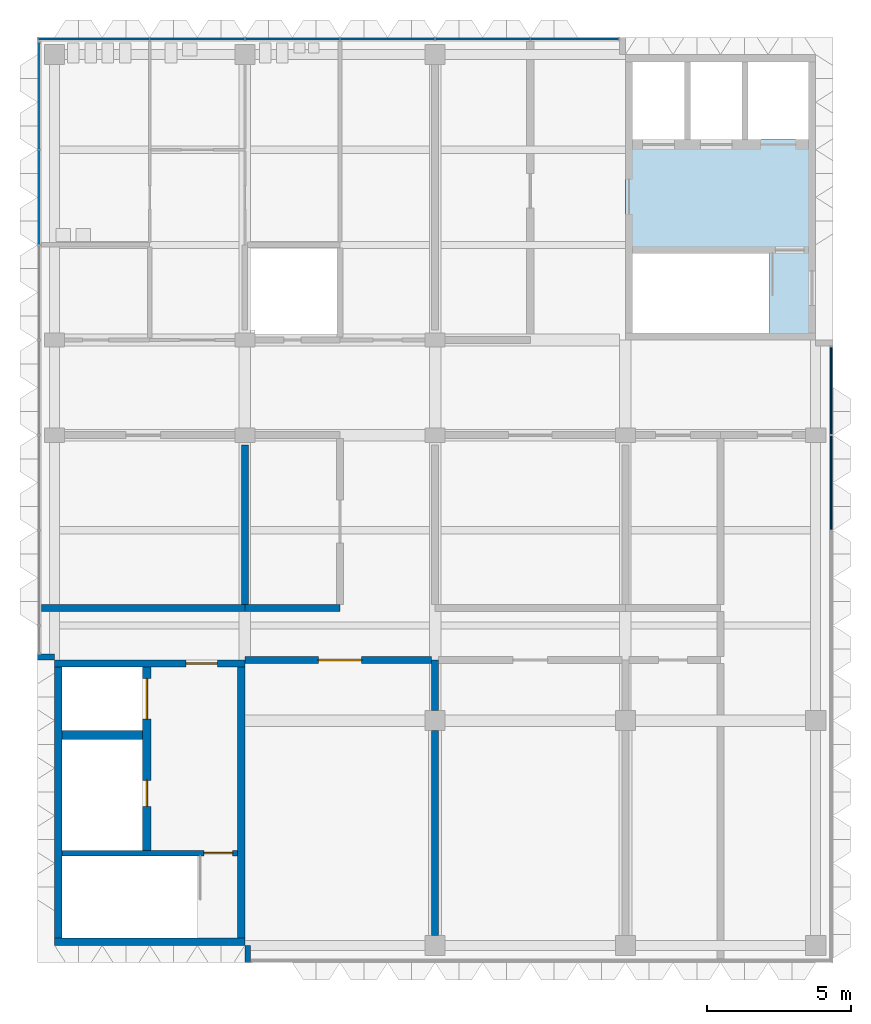
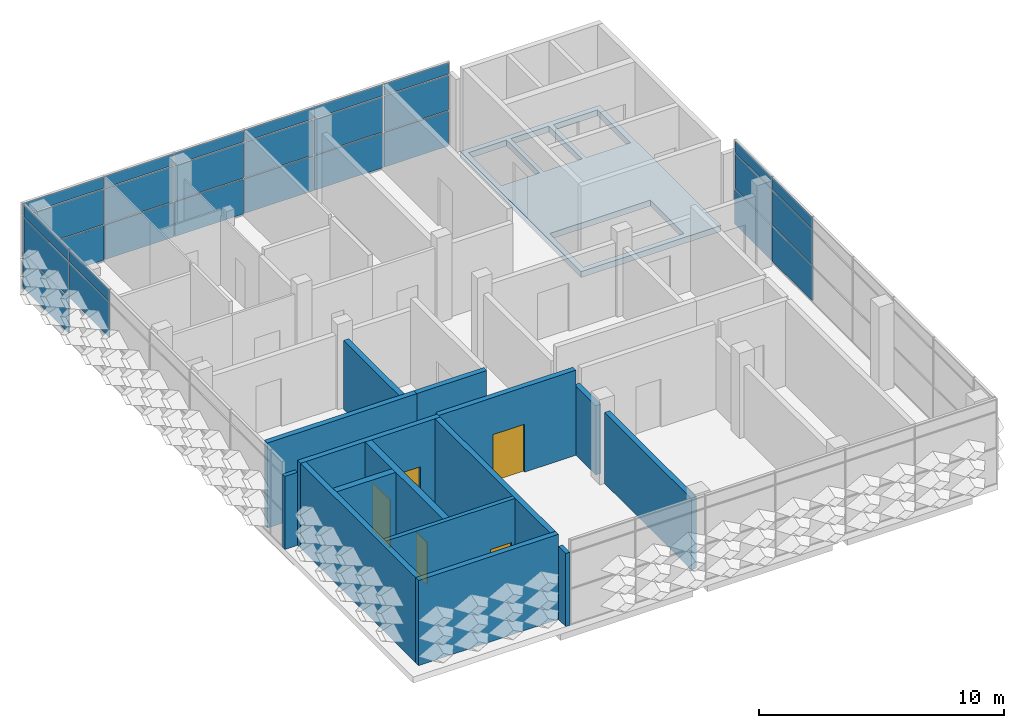
# One storey, part 8 of 21: 29 plates, 15 walls, 5 doors, 1 slab, 5 openings, 3 elements without a shape of their own.
"""IFC4 building model written with IfcOpenShell, lengths in metres."""

from ifc_helpers import new_model, si_unit, direction, frame, frame_2d, origin, origin_2d, place, context, subcontext, project, spatial, polyline, rectangle, outline, extrude, material, layer, layer_set, type_object, element, fill, aggregate, save


model = new_model("IFC4")

# Units and contexts
model_context = context("Model", 3, precision=1e-05, world=origin(), true_north=direction((0.0, 1.0)))
body_context = subcontext(model_context, "Body", "Model", "MODEL_VIEW")
ifc_project = project(units=[si_unit("LENGTHUNIT", "METRE"), si_unit("AREAUNIT", "SQUARE_METRE"), si_unit("VOLUMEUNIT", "CUBIC_METRE"), si_unit("PLANEANGLEUNIT", "RADIAN"), si_unit("MASSUNIT", "GRAM", prefix="KILO")], contexts=[model_context])

# Site, building, storey
site_placement = place(None, origin())
site = spatial("IfcSite", under=ifc_project, at=site_placement, CompositionType="ELEMENT")
building_placement = place(site_placement, origin())
building = spatial("IfcBuilding", under=site, at=building_placement, Name="Lantern Court Research Institute", CompositionType="ELEMENT")
storey_placement = place(building_placement, frame((0.0, 0.0, 41.39990234375)))
storey = spatial("IfcBuildingStorey", under=building, at=storey_placement, Name="L09", CompositionType="ELEMENT", Elevation=41.39990234375)

# Curtain wall, plates
ifc_material_1 = material(Name="Aluminium alloy 6063-T6", Category="aluminium")
curtain_wall_type_1 = type_object("IfcCurtainWallType", Name="Curtain wall 20200 x 4250 x 120 aluminium frame", PredefinedType="NOTDEFINED", material=ifc_material_1)
curtain_wall_1_placement = place(storey_placement, origin())
curtain_wall_1 = element("IfcCurtainWall", 1, at=curtain_wall_1_placement, inside=storey, type_object=curtain_wall_type_1, Name="Curtain wall CW090", PredefinedType="NOTDEFINED")
ifc_material_2 = material(Name="Insulated aluminium spandrel panel", Category="aluminium")
ifc_layer_1 = layer(ifc_material_2, 0.06005859375)
ifc_layer_set_1 = layer_set([ifc_layer_1], Name="Insulated aluminium spandrel panel")
plate_type_1 = type_object("IfcPlateType", Name="Insulated spandrel panel 60 mm", PredefinedType="CURTAIN_PANEL", material=ifc_layer_set_1)
plate_1_placement = place(storey_placement, frame((54.16259765625, 23.639892578125, 0.050048828125), z_axis=(0.0, 0.0, 1.0), x_axis=(1.0, 0.0, 0.0)))
plate_1 = element("IfcPlate", 2, at=plate_1_placement, type_object=plate_type_1, Name="CW090 spandrel panel 1.1", PredefinedType="CURTAIN_PANEL", context=body_context, shape_type="SweptSolid", body=[
    extrude(rectangle(XDim=3.824951171875, YDim=0.06005859375, at=origin_2d()), origin(), (0.0, 0.0, 1.0), 1.72509765625),
])
plate_2_placement = place(storey_placement, frame((57.75, 23.639892578125, 0.050048828125), z_axis=(0.0, 0.0, 1.0), x_axis=(1.0, 0.0, 0.0)))
plate_2 = element("IfcPlate", 3, at=plate_2_placement, type_object=plate_type_1, Name="CW090 spandrel panel 2.1", PredefinedType="CURTAIN_PANEL", context=body_context, shape_type="SweptSolid", body=[
    extrude(rectangle(XDim=3.25, YDim=0.06005859375, at=origin_2d()), origin(), (0.0, 0.0, 1.0), 1.72509765625),
])
plate_3_placement = place(storey_placement, frame((61.050048828125, 23.639892578125, 0.050048828125), z_axis=(0.0, 0.0, 1.0), x_axis=(1.0, 0.0, 0.0)))
plate_3 = element("IfcPlate", 4, at=plate_3_placement, type_object=plate_type_1, Name="CW090 spandrel panel 3.1", PredefinedType="CURTAIN_PANEL", context=body_context, shape_type="SweptSolid", body=[
    extrude(rectangle(XDim=3.25, YDim=0.06005859375, at=origin_2d()), origin(), (0.0, 0.0, 1.0), 1.72509765625),
])
plate_4_placement = place(storey_placement, frame((64.35009765625, 23.639892578125, 0.050048828125), z_axis=(0.0, 0.0, 1.0), x_axis=(1.0, 0.0, 0.0)))
plate_4 = element("IfcPlate", 5, at=plate_4_placement, type_object=plate_type_1, Name="CW090 spandrel panel 4.1", PredefinedType="CURTAIN_PANEL", context=body_context, shape_type="SweptSolid", body=[
    extrude(rectangle(XDim=3.25, YDim=0.06005859375, at=origin_2d()), origin(), (0.0, 0.0, 1.0), 1.72509765625),
])
plate_5_placement = place(storey_placement, frame((67.64990234375, 23.639892578125, 0.050048828125), z_axis=(0.0, 0.0, 1.0), x_axis=(1.0, 0.0, 0.0)))
plate_5 = element("IfcPlate", 6, at=plate_5_placement, type_object=plate_type_1, Name="CW090 spandrel panel 5.1", PredefinedType="CURTAIN_PANEL", context=body_context, shape_type="SweptSolid", body=[
    extrude(rectangle(XDim=3.25, YDim=0.06005859375, at=origin_2d()), origin(), (0.0, 0.0, 1.0), 1.72509765625),
])
plate_6_placement = place(storey_placement, frame((70.83740234375, 23.639892578125, 0.050048828125), z_axis=(0.0, 0.0, 1.0), x_axis=(1.0, 0.0, 0.0)))
plate_6 = element("IfcPlate", 7, at=plate_6_placement, type_object=plate_type_1, Name="CW090 spandrel panel 6.1", PredefinedType="CURTAIN_PANEL", context=body_context, shape_type="SweptSolid", body=[
    extrude(rectangle(XDim=3.02490234375, YDim=0.06005859375, at=origin_2d()), origin(), (0.0, 0.0, 1.0), 1.72509765625),
])

ifc_material_3 = material(Name="Aluminium alloy 6063-T6", Category="aluminium")
curtain_wall_type_2 = type_object("IfcCurtainWallType", Name="Curtain wall 21250 x 4250 x 120 aluminium frame", PredefinedType="NOTDEFINED", material=ifc_material_3)
curtain_wall_2_placement = place(storey_placement, origin())
curtain_wall_2 = element("IfcCurtainWall", 8, at=curtain_wall_2_placement, inside=storey, type_object=curtain_wall_type_2, Name="Curtain wall CW089", PredefinedType="NOTDEFINED")
ifc_material_4 = material(Name="Insulated aluminium spandrel panel", Category="aluminium")
ifc_layer_2 = layer(ifc_material_4, 0.080078125)
ifc_layer_set_2 = layer_set([ifc_layer_2], Name="Insulated aluminium spandrel panel")
plate_type_2 = type_object("IfcPlateType", Name="Insulated spandrel panel 80 mm", PredefinedType="CURTAIN_PANEL", material=ifc_layer_set_2)
plate_7_placement = place(storey_placement, frame((79.739990234375, 8.25, 0.050048828125), z_axis=(0.0, 0.0, 1.0), x_axis=(0.0, -1.0, 0.0)))
plate_7 = element("IfcPlate", 9, at=plate_7_placement, type_object=plate_type_2, Name="CW089 spandrel panel 6.1", PredefinedType="CURTAIN_PANEL", context=body_context, shape_type="SweptSolid", body=[
    extrude(rectangle(XDim=3.25, YDim=0.080078125, at=origin_2d()), origin(), (0.0, 0.0, 1.0), 1.72509765625),
])
plate_8_placement = place(storey_placement, frame((79.739990234375, 11.4375, 0.050048828125), z_axis=(0.0, 0.0, 1.0), x_axis=(0.0, -1.0, 0.0)))
plate_8 = element("IfcPlate", 10, at=plate_8_placement, type_object=plate_type_2, Name="CW089 spandrel panel 7.1", PredefinedType="CURTAIN_PANEL", context=body_context, shape_type="SweptSolid", body=[
    extrude(rectangle(XDim=3.02490234375, YDim=0.080078125, at=origin_2d()), origin(), (0.0, 0.0, 1.0), 1.72509765625),
])

curtain_wall_3_placement = place(storey_placement, origin())
curtain_wall_3 = element("IfcCurtainWall", 11, at=curtain_wall_3_placement, inside=storey, type_object=curtain_wall_type_2, Name="Curtain wall CW092", PredefinedType="NOTDEFINED")
plate_9_placement = place(storey_placement, frame((52.260009765625, 21.66259765625, 0.050048828125), z_axis=(0.0, 0.0, 1.0), x_axis=(0.0, 1.0, 0.0)))
plate_9 = element("IfcPlate", 12, at=plate_9_placement, type_object=plate_type_2, Name="CW092 spandrel panel 7.1", PredefinedType="CURTAIN_PANEL", context=body_context, shape_type="SweptSolid", body=[
    extrude(rectangle(XDim=3.675048828125, YDim=0.080078125, at=origin_2d()), origin(), (0.0, 0.0, 1.0), 1.72509765625),
])
ifc_material_5 = material(Name="Laminated low-emissivity glass", Category="glass")
ifc_layer_3 = layer(ifc_material_5, 0.031982421875)
ifc_layer_set_3 = layer_set([ifc_layer_3], Name="Laminated low-emissivity glass")
plate_type_3 = type_object("IfcPlateType", Name="Laminated low-emissivity unit 32 mm", PredefinedType="CURTAIN_PANEL", material=ifc_layer_set_3)
plate_10_placement = place(storey_placement, frame((52.260009765625, 18.14990234375, 1.8251953125), z_axis=(0.0, 0.0, 1.0), x_axis=(0.0, 1.0, 0.0)))
plate_10 = element("IfcPlate", 13, at=plate_10_placement, type_object=plate_type_3, Name="CW092 glazed panel 6.2", PredefinedType="CURTAIN_PANEL", context=body_context, shape_type="SweptSolid", body=[
    extrude(rectangle(XDim=3.25, YDim=0.031982421875, at=origin_2d()), origin(), (0.0, 0.0, 1.0), 1.75),
])
plate_11_placement = place(storey_placement, frame((52.260009765625, 18.14990234375, 3.625), z_axis=(0.0, 0.0, 1.0), x_axis=(0.0, 1.0, 0.0)))
plate_11 = element("IfcPlate", 14, at=plate_11_placement, type_object=plate_type_3, Name="CW092 glazed panel 6.3", PredefinedType="CURTAIN_PANEL", context=body_context, shape_type="SweptSolid", body=[
    extrude(rectangle(XDim=3.25, YDim=0.031982421875, at=origin_2d()), origin(), (0.0, 0.0, 1.0), 0.574951171875),
])
plate_12_placement = place(storey_placement, frame((52.260009765625, 21.66259765625, 1.8251953125), z_axis=(0.0, 0.0, 1.0), x_axis=(0.0, 1.0, 0.0)))
plate_12 = element("IfcPlate", 15, at=plate_12_placement, type_object=plate_type_3, Name="CW092 glazed panel 7.2", PredefinedType="CURTAIN_PANEL", context=body_context, shape_type="SweptSolid", body=[
    extrude(rectangle(XDim=3.675048828125, YDim=0.031982421875, at=origin_2d()), origin(), (0.0, 0.0, 1.0), 1.75),
])
plate_13_placement = place(storey_placement, frame((52.260009765625, 21.66259765625, 3.625), z_axis=(0.0, 0.0, 1.0), x_axis=(0.0, 1.0, 0.0)))
plate_13 = element("IfcPlate", 16, at=plate_13_placement, type_object=plate_type_3, Name="CW092 glazed panel 7.3", PredefinedType="CURTAIN_PANEL", context=body_context, shape_type="SweptSolid", body=[
    extrude(rectangle(XDim=3.675048828125, YDim=0.031982421875, at=origin_2d()), origin(), (0.0, 0.0, 1.0), 0.574951171875),
])
aggregate(curtain_wall_3, [plate_10, plate_11, plate_9, plate_12, plate_13])

# Plate
ifc_material_6 = material(Name="Laminated low-emissivity glass", Category="glass")
ifc_layer_4 = layer(ifc_material_6, 0.02392578125)
ifc_layer_set_4 = layer_set([ifc_layer_4], Name="Laminated low-emissivity glass")
plate_type_4 = type_object("IfcPlateType", Name="Lightweight laminated unit 24 mm", PredefinedType="CURTAIN_PANEL", material=ifc_layer_set_4)
plate_14_placement = place(storey_placement, frame((54.16259765625, 23.639892578125, 1.8251953125), z_axis=(0.0, 0.0, 1.0), x_axis=(1.0, 0.0, 0.0)))
plate_14 = element("IfcPlate", 17, at=plate_14_placement, type_object=plate_type_4, Name="CW090 glazed panel 1.2", PredefinedType="CURTAIN_PANEL", context=body_context, shape_type="SweptSolid", body=[
    extrude(rectangle(XDim=3.824951171875, YDim=0.02392578125, at=origin_2d()), origin(), (0.0, 0.0, 1.0), 1.75),
])

plate_15_placement = place(storey_placement, frame((54.16259765625, 23.639892578125, 3.625), z_axis=(0.0, 0.0, 1.0), x_axis=(1.0, 0.0, 0.0)))
plate_15 = element("IfcPlate", 18, at=plate_15_placement, type_object=plate_type_4, Name="CW090 glazed panel 1.3", PredefinedType="CURTAIN_PANEL", context=body_context, shape_type="SweptSolid", body=[
    extrude(rectangle(XDim=3.824951171875, YDim=0.02392578125, at=origin_2d()), origin(), (0.0, 0.0, 1.0), 0.574951171875),
])

plate_16_placement = place(storey_placement, frame((57.75, 23.639892578125, 1.8251953125), z_axis=(0.0, 0.0, 1.0), x_axis=(1.0, 0.0, 0.0)))
plate_16 = element("IfcPlate", 19, at=plate_16_placement, type_object=plate_type_4, Name="CW090 glazed panel 2.2", PredefinedType="CURTAIN_PANEL", context=body_context, shape_type="SweptSolid", body=[
    extrude(rectangle(XDim=3.25, YDim=0.02392578125, at=origin_2d()), origin(), (0.0, 0.0, 1.0), 1.75),
])

plate_17_placement = place(storey_placement, frame((57.75, 23.639892578125, 3.625), z_axis=(0.0, 0.0, 1.0), x_axis=(1.0, 0.0, 0.0)))
plate_17 = element("IfcPlate", 20, at=plate_17_placement, type_object=plate_type_4, Name="CW090 glazed panel 2.3", PredefinedType="CURTAIN_PANEL", context=body_context, shape_type="SweptSolid", body=[
    extrude(rectangle(XDim=3.25, YDim=0.02392578125, at=origin_2d()), origin(), (0.0, 0.0, 1.0), 0.574951171875),
])

plate_18_placement = place(storey_placement, frame((61.050048828125, 23.639892578125, 1.8251953125), z_axis=(0.0, 0.0, 1.0), x_axis=(1.0, 0.0, 0.0)))
plate_18 = element("IfcPlate", 21, at=plate_18_placement, type_object=plate_type_4, Name="CW090 glazed panel 3.2", PredefinedType="CURTAIN_PANEL", context=body_context, shape_type="SweptSolid", body=[
    extrude(rectangle(XDim=3.25, YDim=0.02392578125, at=origin_2d()), origin(), (0.0, 0.0, 1.0), 1.75),
])

plate_19_placement = place(storey_placement, frame((61.050048828125, 23.639892578125, 3.625), z_axis=(0.0, 0.0, 1.0), x_axis=(1.0, 0.0, 0.0)))
plate_19 = element("IfcPlate", 22, at=plate_19_placement, type_object=plate_type_4, Name="CW090 glazed panel 3.3", PredefinedType="CURTAIN_PANEL", context=body_context, shape_type="SweptSolid", body=[
    extrude(rectangle(XDim=3.25, YDim=0.02392578125, at=origin_2d()), origin(), (0.0, 0.0, 1.0), 0.574951171875),
])

plate_20_placement = place(storey_placement, frame((64.35009765625, 23.639892578125, 1.8251953125), z_axis=(0.0, 0.0, 1.0), x_axis=(1.0, 0.0, 0.0)))
plate_20 = element("IfcPlate", 23, at=plate_20_placement, type_object=plate_type_4, Name="CW090 glazed panel 4.2", PredefinedType="CURTAIN_PANEL", context=body_context, shape_type="SweptSolid", body=[
    extrude(rectangle(XDim=3.25, YDim=0.02392578125, at=origin_2d()), origin(), (0.0, 0.0, 1.0), 1.75),
])

plate_21_placement = place(storey_placement, frame((64.35009765625, 23.639892578125, 3.625), z_axis=(0.0, 0.0, 1.0), x_axis=(1.0, 0.0, 0.0)))
plate_21 = element("IfcPlate", 24, at=plate_21_placement, type_object=plate_type_4, Name="CW090 glazed panel 4.3", PredefinedType="CURTAIN_PANEL", context=body_context, shape_type="SweptSolid", body=[
    extrude(rectangle(XDim=3.25, YDim=0.02392578125, at=origin_2d()), origin(), (0.0, 0.0, 1.0), 0.574951171875),
])

plate_22_placement = place(storey_placement, frame((67.64990234375, 23.639892578125, 1.8251953125), z_axis=(0.0, 0.0, 1.0), x_axis=(1.0, 0.0, 0.0)))
plate_22 = element("IfcPlate", 25, at=plate_22_placement, type_object=plate_type_4, Name="CW090 glazed panel 5.2", PredefinedType="CURTAIN_PANEL", context=body_context, shape_type="SweptSolid", body=[
    extrude(rectangle(XDim=3.25, YDim=0.02392578125, at=origin_2d()), origin(), (0.0, 0.0, 1.0), 1.75),
])

plate_23_placement = place(storey_placement, frame((67.64990234375, 23.639892578125, 3.625), z_axis=(0.0, 0.0, 1.0), x_axis=(1.0, 0.0, 0.0)))
plate_23 = element("IfcPlate", 26, at=plate_23_placement, type_object=plate_type_4, Name="CW090 glazed panel 5.3", PredefinedType="CURTAIN_PANEL", context=body_context, shape_type="SweptSolid", body=[
    extrude(rectangle(XDim=3.25, YDim=0.02392578125, at=origin_2d()), origin(), (0.0, 0.0, 1.0), 0.574951171875),
])

plate_24_placement = place(storey_placement, frame((70.83740234375, 23.639892578125, 1.8251953125), z_axis=(0.0, 0.0, 1.0), x_axis=(1.0, 0.0, 0.0)))
plate_24 = element("IfcPlate", 27, at=plate_24_placement, type_object=plate_type_4, Name="CW090 glazed panel 6.2", PredefinedType="CURTAIN_PANEL", context=body_context, shape_type="SweptSolid", body=[
    extrude(rectangle(XDim=3.02490234375, YDim=0.02392578125, at=origin_2d()), origin(), (0.0, 0.0, 1.0), 1.75),
])

plate_25_placement = place(storey_placement, frame((70.83740234375, 23.639892578125, 3.625), z_axis=(0.0, 0.0, 1.0), x_axis=(1.0, 0.0, 0.0)))
plate_25 = element("IfcPlate", 28, at=plate_25_placement, type_object=plate_type_4, Name="CW090 glazed panel 6.3", PredefinedType="CURTAIN_PANEL", context=body_context, shape_type="SweptSolid", body=[
    extrude(rectangle(XDim=3.02490234375, YDim=0.02392578125, at=origin_2d()), origin(), (0.0, 0.0, 1.0), 0.574951171875),
])

aggregate(curtain_wall_1, [plate_1, plate_14, plate_15, plate_2, plate_16, plate_17, plate_3, plate_18, plate_19, plate_4, plate_20, plate_21, plate_5, plate_22, plate_23, plate_6, plate_24, plate_25])

# Slab
ifc_material_7 = material(Name="Concrete C35/45", Category="concrete")
ifc_layer_5 = layer(ifc_material_7, 0.300048828125)
ifc_layer_set_5 = layer_set([ifc_layer_5], Name="Concrete C35/45")
slab_type = type_object("IfcSlabType", Name="RC core floor slab 300", PredefinedType="FLOOR", material=ifc_layer_set_5)
slab_placement = place(storey_placement, frame((0.0, 0.0, -0.2998046875)))
element("IfcSlab", 29, at=slab_placement, inside=storey, type_object=slab_type, Name="Floor of core TC-E", PredefinedType="FLOOR", context=body_context, shape_type="SweptSolid", body=[
    extrude(outline(polyline([(72.60009765625, 13.199951171875), (79.199951171875, 13.199951171875), (79.199951171875, 23.10009765625), (72.60009765625, 23.10009765625), (72.60009765625, 13.199951171875)]), holes=[polyline([(77.60009765625, 16.199951171875), (72.85009765625, 16.199951171875), (72.85009765625, 13.449951171875), (77.60009765625, 13.449951171875), (77.60009765625, 16.199951171875)]), polyline([(72.85009765625, 20.14990234375), (74.64990234375, 20.14990234375), (74.64990234375, 22.85009765625), (72.85009765625, 22.85009765625), (72.85009765625, 20.14990234375)]), polyline([(74.85009765625, 20.14990234375), (76.64990234375, 20.14990234375), (76.64990234375, 22.85009765625), (74.85009765625, 22.85009765625), (74.85009765625, 20.14990234375)]), polyline([(76.85009765625, 20.14990234375), (78.949951171875, 20.14990234375), (78.949951171875, 22.85009765625), (76.85009765625, 22.85009765625), (76.85009765625, 20.14990234375)])]), origin(), (0.0, 0.0, 1.0), 0.2998046875),
])

# Plate
ifc_material_8 = material(Name="Laminated low-emissivity glass", Category="glass")
ifc_layer_6 = layer(ifc_material_8, 0.035888671875)
ifc_layer_set_6 = layer_set([ifc_layer_6], Name="Laminated low-emissivity glass")
plate_type_5 = type_object("IfcPlateType", Name="Solar control laminated unit 36 mm", PredefinedType="CURTAIN_PANEL", material=ifc_layer_set_6)
plate_26_placement = place(storey_placement, frame((79.739990234375, 8.25, 1.8251953125), z_axis=(0.0, 0.0, 1.0), x_axis=(0.0, -1.0, 0.0)))
plate_26 = element("IfcPlate", 30, at=plate_26_placement, type_object=plate_type_5, Name="CW089 glazed panel 6.2", PredefinedType="CURTAIN_PANEL", context=body_context, shape_type="SweptSolid", body=[
    extrude(rectangle(XDim=3.25, YDim=0.035888671875, at=origin_2d()), origin(), (0.0, 0.0, 1.0), 1.75),
])

plate_27_placement = place(storey_placement, frame((79.739990234375, 8.25, 3.625), z_axis=(0.0, 0.0, 1.0), x_axis=(0.0, -1.0, 0.0)))
plate_27 = element("IfcPlate", 31, at=plate_27_placement, type_object=plate_type_5, Name="CW089 glazed panel 6.3", PredefinedType="CURTAIN_PANEL", context=body_context, shape_type="SweptSolid", body=[
    extrude(rectangle(XDim=3.25, YDim=0.035888671875, at=origin_2d()), origin(), (0.0, 0.0, 1.0), 0.574951171875),
])

plate_28_placement = place(storey_placement, frame((79.739990234375, 11.4375, 1.8251953125), z_axis=(0.0, 0.0, 1.0), x_axis=(0.0, -1.0, 0.0)))
plate_28 = element("IfcPlate", 32, at=plate_28_placement, type_object=plate_type_5, Name="CW089 glazed panel 7.2", PredefinedType="CURTAIN_PANEL", context=body_context, shape_type="SweptSolid", body=[
    extrude(rectangle(XDim=3.02490234375, YDim=0.035888671875, at=origin_2d()), origin(), (0.0, 0.0, 1.0), 1.75),
])

plate_29_placement = place(storey_placement, frame((79.739990234375, 11.4375, 3.625), z_axis=(0.0, 0.0, 1.0), x_axis=(0.0, -1.0, 0.0)))
plate_29 = element("IfcPlate", 33, at=plate_29_placement, type_object=plate_type_5, Name="CW089 glazed panel 7.3", PredefinedType="CURTAIN_PANEL", context=body_context, shape_type="SweptSolid", body=[
    extrude(rectangle(XDim=3.02490234375, YDim=0.035888671875, at=origin_2d()), origin(), (0.0, 0.0, 1.0), 0.574951171875),
])

aggregate(curtain_wall_2, [plate_7, plate_26, plate_27, plate_8, plate_28, plate_29])

# Walls
ifc_material_9 = material(Name="Fire-rated gypsum board partition, double stud, mineral wool filled")
ifc_layer_7 = layer(ifc_material_9, 0.25)
ifc_layer_set_7 = layer_set([ifc_layer_7], Name="Fire-rated gypsum board partition, double stud, mineral wool filled")
wall_type_1 = type_object("IfcWallType", Name="Plant compartment wall 250 EI 120", PredefinedType="PARTITIONING", material=ifc_layer_set_7)
wall_1_placement = place(storey_placement, frame((66.0, -7.449951171875, 0.0), z_axis=(0.0, 0.0, 1.0), x_axis=(0.0, 1.0, 0.0)))
element("IfcWall", 34, at=wall_1_placement, inside=storey, type_object=wall_type_1, Name="Plant compartment wall 250 EI 120", PredefinedType="PARTITIONING", context=body_context, shape_type="SweptSolid", body=[
    extrude(rectangle(XDim=7.099853515625, YDim=0.25, at=frame_2d((3.5498046875, 0.0))), origin(), (0.0, 0.0, 1.0), 3.550048828125),
])
wall_2_placement = place(storey_placement, frame((66.0, 0.35009765625, 0.0), z_axis=(0.0, 0.0, 1.0), x_axis=(0.0, 1.0, 0.0)))
element("IfcWall", 35, at=wall_2_placement, inside=storey, type_object=wall_type_1, Name="Plant compartment wall 250 EI 120", PredefinedType="PARTITIONING", context=body_context, shape_type="SweptSolid", body=[
    extrude(rectangle(XDim=1.75, YDim=0.25, at=frame_2d((0.875, 0.0))), origin(), (0.0, 0.0, 1.0), 3.4501953125),
])

# Wall, opening, door
wall_3_placement = place(storey_placement, frame((65.875, 2.10009765625, 0.0), z_axis=(0.0, 0.0, 1.0), x_axis=(-1.0, 0.0, 0.0)))
wall_3 = element("IfcWall", 36, at=wall_3_placement, inside=storey, type_object=wall_type_1, Name="Plant compartment wall 250 EI 120", PredefinedType="PARTITIONING", context=body_context, shape_type="SweptSolid", body=[
    extrude(rectangle(XDim=6.474853515625, YDim=0.25, at=frame_2d((3.2373046875, 0.0))), origin(), (0.0, 0.0, 1.0), 4.25),
])
opening_1_placement = place(wall_3_placement, frame((2.425048828125, 0.0, 0.0)))
opening_1 = element("IfcOpeningElement", 37, at=opening_1_placement, cuts=wall_3, Name="Opening D5909", PredefinedType="OPENING", context=body_context, shape_type="SweptSolid", body=[
    extrude(rectangle(XDim=1.5, YDim=2.39990234375, at=frame_2d((0.75, 1.199951171875))), frame((0.0, 0.135009765625, 0.0), z_axis=(0.0, -1.0, 0.0), x_axis=(1.0, 0.0, 0.0)), (0.0, 0.0, 1.0), 0.27001953125),
])
ifc_material_10 = material(Name="Solid-core timber door leaf", Category="wood")
ifc_layer_8 = layer(ifc_material_10, 0.06005859375)
ifc_layer_set_8 = layer_set([ifc_layer_8], Name="Solid-core timber door leaf")
door_type_1 = type_object("IfcDoorType", Name="Exhaust fan room door 1500 x 2400 pair FD60", OperationType="DOUBLE_DOOR_SINGLE_SWING", PredefinedType="DOOR", material=ifc_layer_set_8)
door_1_placement = place(opening_1_placement, origin())
door_1 = element("IfcDoor", 38, at=door_1_placement, inside=storey, type_object=door_type_1, Name="Door D5909", OperationType="DOUBLE_DOOR_SINGLE_SWING", OverallHeight=2.39990234375, OverallWidth=1.5, PredefinedType="DOOR", context=body_context, shape_type="SweptSolid", body=[
    extrude(rectangle(XDim=1.5, YDim=2.39990234375, at=frame_2d((0.75, 1.199951171875))), frame((0.0, 0.030029296875, 0.0), z_axis=(0.0, -1.0, 0.0), x_axis=(1.0, 0.0, 0.0)), (0.0, 0.0, 1.0), 0.06005859375),
])
fill(opening_1, door_1)

# Walls
wall_4_placement = place(storey_placement, frame((59.39990234375, 3.89990234375, 0.0), z_axis=(0.0, 0.0, 1.0), x_axis=(-1.0, 0.0, 0.0)))
element("IfcWall", 39, at=wall_4_placement, inside=storey, type_object=wall_type_1, Name="Plant compartment wall 250 EI 120", PredefinedType="PARTITIONING", context=body_context, shape_type="SweptSolid", body=[
    extrude(rectangle(XDim=7.0498046875, YDim=0.25, at=frame_2d((3.52490234375, 0.0))), origin(), (0.0, 0.0, 1.0), 4.25),
])
wall_5_placement = place(storey_placement, frame((62.699951171875, 3.89990234375, 0.0), z_axis=(0.0, 0.0, 1.0), x_axis=(-1.0, 0.0, 0.0)))
element("IfcWall", 40, at=wall_5_placement, inside=storey, type_object=wall_type_1, Name="Plant compartment wall 250 EI 120", PredefinedType="PARTITIONING", context=body_context, shape_type="SweptSolid", body=[
    extrude(rectangle(XDim=3.300048828125, YDim=0.25, at=frame_2d((1.64990234375, 0.0))), origin(), (0.0, 0.0, 1.0), 4.25),
])
wall_6_placement = place(storey_placement, frame((59.39990234375, 4.02490234375, 0.0), z_axis=(0.0, 0.0, 1.0), x_axis=(0.0, 1.0, 0.0)))
element("IfcWall", 41, at=wall_6_placement, inside=storey, type_object=wall_type_1, Name="Plant compartment wall 250 EI 120", PredefinedType="PARTITIONING", context=body_context, shape_type="SweptSolid", body=[
    extrude(rectangle(XDim=5.525146484375, YDim=0.25, at=frame_2d((2.7626953125, 0.0))), origin(), (0.0, 0.0, 1.0), 3.4501953125),
])

# Wall, opening, door
ifc_material_11 = material(Name="Concrete C40/50", Category="concrete")
ifc_layer_9 = layer(ifc_material_11, 0.25)
ifc_layer_set_9 = layer_set([ifc_layer_9], Name="Concrete C40/50")
wall_type_2 = type_object("IfcWallType", Name="RC core wall 250", PredefinedType="SHEAR", material=ifc_layer_set_9)
wall_7_placement = place(storey_placement, frame((59.39990234375, 1.97509765625, 0.0), z_axis=(0.0, 0.0, 1.0), x_axis=(-1.0, 0.0, 0.0)))
wall_7 = element("IfcWall", 42, at=wall_7_placement, inside=storey, type_object=wall_type_2, Name="North wall of core TC-W", PredefinedType="SHEAR", context=body_context, shape_type="SweptSolid", body=[
    extrude(rectangle(XDim=6.599853515625, YDim=0.25, at=frame_2d((3.2998046875, 0.0))), origin(), (0.0, 0.0, 1.0), 4.25),
])
opening_2_placement = place(wall_7_placement, frame((0.949951171875, 0.0, 0.0)))
opening_2 = element("IfcOpeningElement", 43, at=opening_2_placement, cuts=wall_7, Name="Opening D7137", PredefinedType="OPENING", context=body_context, shape_type="SweptSolid", body=[
    extrude(rectangle(XDim=1.10009765625, YDim=2.10009765625, at=frame_2d((0.550048828125, 1.050048828125))), frame((0.0, 0.135009765625, 0.0), z_axis=(0.0, -1.0, 0.0), x_axis=(1.0, 0.0, 0.0)), (0.0, 0.0, 1.0), 0.27001953125),
])
ifc_material_12 = material(Name="Steel fire door leaf with smoke seals", Category="steel")
door_type_2 = type_object("IfcDoorType", Name="Door 1100 x 2100 fire rated FD60S", OperationType="NOTDEFINED", PredefinedType="DOOR", material=ifc_material_12)
door_2_placement = place(opening_2_placement, origin())
door_2 = element("IfcDoor", 44, at=door_2_placement, inside=storey, type_object=door_type_2, Name="Lobby door", OperationType="SINGLE_SWING_RIGHT", OverallHeight=2.10009765625, OverallWidth=1.10009765625, PredefinedType="DOOR", context=body_context, shape_type="SweptSolid", body=[
    extrude(rectangle(XDim=1.10009765625, YDim=2.10009765625, at=frame_2d((0.550048828125, 1.050048828125))), frame((0.0, 0.02490234375, 0.0), z_axis=(0.0, -1.0, 0.0), x_axis=(1.0, 0.0, 0.0)), (0.0, 0.0, 1.0), 0.050048828125),
])
fill(opening_2, door_2)

# Walls
wall_8_placement = place(storey_placement, frame((59.27490234375, 1.85009765625, 0.0), z_axis=(0.0, 0.0, 1.0), x_axis=(0.0, -1.0, 0.0)))
element("IfcWall", 45, at=wall_8_placement, inside=storey, type_object=wall_type_2, Name="East wall of core TC-W", PredefinedType="SHEAR", context=body_context, shape_type="SweptSolid", body=[
    extrude(rectangle(XDim=9.400146484375, YDim=0.25, at=frame_2d((4.7001953125, 0.0))), origin(), (0.0, 0.0, 1.0), 4.25),
])
ifc_material_13 = material(Name="Concrete C40/50", Category="concrete")
ifc_layer_10 = layer(ifc_material_13, 0.25)
ifc_layer_set_10 = layer_set([ifc_layer_10], Name="Concrete C40/50")
wall_type_3 = type_object("IfcWallType", Name="RC core wall 250 facade", PredefinedType="SHEAR", material=ifc_layer_set_10)
wall_9_placement = place(storey_placement, frame((59.39990234375, -7.675048828125, 0.0), z_axis=(0.0, 0.0, 1.0), x_axis=(-1.0, 0.0, 0.0)))
element("IfcWall", 46, at=wall_9_placement, inside=storey, type_object=wall_type_3, Name="South wall of core TC-W", PredefinedType="SHEAR", context=body_context, shape_type="SweptSolid", body=[
    extrude(rectangle(XDim=6.599853515625, YDim=0.25, at=frame_2d((3.2998046875, 0.0))), origin(), (0.0, 0.0, 1.0), 4.25),
])
wall_10_placement = place(storey_placement, frame((52.925048828125, 1.85009765625, 0.0), z_axis=(0.0, 0.0, 1.0), x_axis=(0.0, -1.0, 0.0)))
element("IfcWall", 47, at=wall_10_placement, inside=storey, type_object=wall_type_3, Name="West wall of core TC-W", PredefinedType="SHEAR", context=body_context, shape_type="SweptSolid", body=[
    extrude(rectangle(XDim=9.400146484375, YDim=0.25, at=frame_2d((4.7001953125, 0.0))), origin(), (0.0, 0.0, 1.0), 4.25),
])

# Wall, opening, door
ifc_material_14 = material(Name="Concrete C40/50", Category="concrete")
ifc_layer_11 = layer(ifc_material_14, 0.199951171875)
ifc_layer_set_11 = layer_set([ifc_layer_11], Name="Concrete C40/50")
wall_type_4 = type_object("IfcWallType", Name="RC shaft wall 200", PredefinedType="SHEAR", material=ifc_layer_set_11)
wall_11_placement = place(storey_placement, frame((59.14990234375, -4.60009765625, 0.0), z_axis=(0.0, 0.0, 1.0), x_axis=(-1.0, 0.0, 0.0)))
wall_11 = element("IfcWall", 48, at=wall_11_placement, inside=storey, type_object=wall_type_4, Name="Stair wall of core TC-W", PredefinedType="SHEAR", context=body_context, shape_type="SweptSolid", body=[
    extrude(rectangle(XDim=6.099853515625, YDim=0.199951171875, at=frame_2d((3.0498046875, 0.0))), origin(), (0.0, 0.0, 1.0), 4.25),
])
opening_3_placement = place(wall_11_placement, frame((0.175048828125, 0.0, 0.0)))
opening_3 = element("IfcOpeningElement", 49, at=opening_3_placement, cuts=wall_11, Name="Opening D7138", PredefinedType="OPENING", context=body_context, shape_type="SweptSolid", body=[
    extrude(rectangle(XDim=1.0, YDim=2.10009765625, at=frame_2d((0.5, 1.050048828125))), frame((0.0, 0.10986328125, 0.0), z_axis=(0.0, -1.0, 0.0), x_axis=(1.0, 0.0, 0.0)), (0.0, 0.0, 1.0), 0.219970703125),
])
ifc_material_15 = material(Name="Steel fire door leaf with smoke seals", Category="steel")
door_type_3 = type_object("IfcDoorType", Name="Door 1000 x 2100 fire rated FD60S", OperationType="NOTDEFINED", PredefinedType="DOOR", material=ifc_material_15)
door_3_placement = place(opening_3_placement, origin())
door_3 = element("IfcDoor", 50, at=door_3_placement, inside=storey, type_object=door_type_3, Name="Stair door", OperationType="SINGLE_SWING_RIGHT", OverallHeight=2.10009765625, OverallWidth=1.0, PredefinedType="DOOR", context=body_context, shape_type="SweptSolid", body=[
    extrude(rectangle(XDim=1.0, YDim=2.10009765625, at=frame_2d((0.5, 1.050048828125))), frame((0.0, 0.02490234375, 0.0), z_axis=(0.0, -1.0, 0.0), x_axis=(1.0, 0.0, 0.0)), (0.0, 0.0, 1.0), 0.050048828125),
])
fill(opening_3, door_3)

# Wall, openings, doors
ifc_material_16 = material(Name="Concrete C40/50", Category="concrete")
ifc_layer_12 = layer(ifc_material_16, 0.300048828125)
ifc_layer_set_12 = layer_set([ifc_layer_12], Name="Concrete C40/50")
wall_type_5 = type_object("IfcWallType", Name="RC shaft wall 300", PredefinedType="SHEAR", material=ifc_layer_set_12)
wall_12_placement = place(storey_placement, frame((56.0, 1.85009765625, 0.0), z_axis=(0.0, 0.0, 1.0), x_axis=(0.0, -1.0, 0.0)))
wall_12 = element("IfcWall", 51, at=wall_12_placement, inside=storey, type_object=wall_type_5, Name="Lift shaft wall of core TC-W", PredefinedType="SHEAR", context=body_context, shape_type="SweptSolid", body=[
    extrude(rectangle(XDim=6.35009765625, YDim=0.300048828125, at=frame_2d((3.175048828125, 0.0))), origin(), (0.0, 0.0, 1.0), 4.25),
])
opening_4_placement = place(wall_12_placement, frame((3.925048828125, 0.0, 0.0)))
opening_4 = element("IfcOpeningElement", 52, at=opening_4_placement, cuts=wall_12, Name="Opening D7136", PredefinedType="OPENING", context=body_context, shape_type="SweptSolid", body=[
    extrude(rectangle(XDim=0.89990234375, YDim=2.10009765625, at=frame_2d((0.449951171875, 1.050048828125))), frame((0.0, 0.159912109375, 0.0), z_axis=(0.0, -1.0, 0.0), x_axis=(1.0, 0.0, 0.0)), (0.0, 0.0, 1.0), 0.320068359375),
])
opening_5_placement = place(wall_12_placement, frame((0.39990234375, 0.0, 0.0)))
opening_5 = element("IfcOpeningElement", 53, at=opening_5_placement, cuts=wall_12, Name="Opening D7139", PredefinedType="OPENING", context=body_context, shape_type="SweptSolid", body=[
    extrude(rectangle(XDim=1.39990234375, YDim=2.39990234375, at=frame_2d((0.699951171875, 1.199951171875))), frame((0.0, 0.159912109375, 0.0), z_axis=(0.0, -1.0, 0.0), x_axis=(1.0, 0.0, 0.0)), (0.0, 0.0, 1.0), 0.320068359375),
])
ifc_material_17 = material(Name="Steel fire door leaf", Category="steel")
door_type_4 = type_object("IfcDoorType", Name="Door 900 x 2100 fire rated FD60", OperationType="NOTDEFINED", PredefinedType="DOOR", material=ifc_material_17)
door_4_placement = place(opening_4_placement, origin())
door_4 = element("IfcDoor", 54, at=door_4_placement, inside=storey, type_object=door_type_4, Name="Riser door", OperationType="SINGLE_SWING_RIGHT", OverallHeight=2.10009765625, OverallWidth=0.89990234375, PredefinedType="DOOR", context=body_context, shape_type="SweptSolid", body=[
    extrude(rectangle(XDim=0.89990234375, YDim=2.10009765625, at=frame_2d((0.449951171875, 1.050048828125))), frame((0.0, 0.02490234375, 0.0), z_axis=(0.0, -1.0, 0.0), x_axis=(1.0, 0.0, 0.0)), (0.0, 0.0, 1.0), 0.050048828125),
])
fill(opening_4, door_4)
ifc_material_18 = material(Name="Stainless steel landing door panels", Category="steel")
door_type_5 = type_object("IfcDoorType", Name="Lift landing door 1400 x 2400 sliding FD60", OperationType="DOUBLE_DOOR_SLIDING", PredefinedType="NOTDEFINED", material=ifc_material_18)
door_5_placement = place(opening_5_placement, origin())
door_5 = element("IfcDoor", 55, at=door_5_placement, inside=storey, type_object=door_type_5, Name="Landing door", OperationType="DOUBLE_DOOR_SLIDING", OverallHeight=2.39990234375, OverallWidth=1.39990234375, PredefinedType="NOTDEFINED", context=body_context, shape_type="SweptSolid", body=[
    extrude(rectangle(XDim=1.39990234375, YDim=2.39990234375, at=frame_2d((0.699951171875, 1.199951171875))), frame((0.0, 0.02490234375, 0.0), z_axis=(0.0, -1.0, 0.0), x_axis=(1.0, 0.0, 0.0)), (0.0, 0.0, 1.0), 0.050048828125),
])
fill(opening_5, door_5)

# Walls
wall_13_placement = place(storey_placement, frame((55.85009765625, -0.5, 0.0), z_axis=(0.0, 0.0, 1.0), x_axis=(-1.0, 0.0, 0.0)))
element("IfcWall", 56, at=wall_13_placement, inside=storey, type_object=wall_type_5, Name="Lift shaft wall of core TC-W", PredefinedType="SHEAR", context=body_context, shape_type="SweptSolid", body=[
    extrude(rectangle(XDim=2.800048828125, YDim=0.300048828125, at=frame_2d((1.39990234375, 0.0))), origin(), (0.0, 0.0, 1.0), 4.25),
])
ifc_material_19 = material(Name="Concrete C40/50", Category="concrete")
ifc_layer_13 = layer(ifc_material_19, 0.199951171875)
ifc_layer_set_13 = layer_set([ifc_layer_13], Name="Concrete C40/50")
wall_type_6 = type_object("IfcWallType", Name="Return wall 200 concrete EI 120 aluminium faced", PredefinedType="STANDARD", material=ifc_layer_set_13)
wall_14_placement = place(storey_placement, frame((59.5, -7.800048828125, 0.0), z_axis=(0.0, 0.0, 1.0), x_axis=(0.0, -1.0, 0.0)))
element("IfcWall", 57, at=wall_14_placement, inside=storey, type_object=wall_type_6, Name="Core return wall 69", PredefinedType="STANDARD", context=body_context, shape_type="SweptSolid", body=[
    extrude(rectangle(XDim=0.599853515625, YDim=0.199951171875, at=frame_2d((0.2998046875, 0.0))), origin(), (0.0, 0.0, 1.0), 3.650146484375),
])
wall_15_placement = place(storey_placement, frame((52.800048828125, 2.199951171875, 0.0), z_axis=(0.0, 0.0, 1.0), x_axis=(-1.0, 0.0, 0.0)))
element("IfcWall", 58, at=wall_15_placement, inside=storey, type_object=wall_type_6, Name="Core return wall 70", PredefinedType="STANDARD", context=body_context, shape_type="SweptSolid", body=[
    extrude(rectangle(XDim=0.60009765625, YDim=0.199951171875, at=frame_2d((0.300048828125, 0.0))), origin(), (0.0, 0.0, 1.0), 3.650146484375),
])

save(model, "model.ifc")
